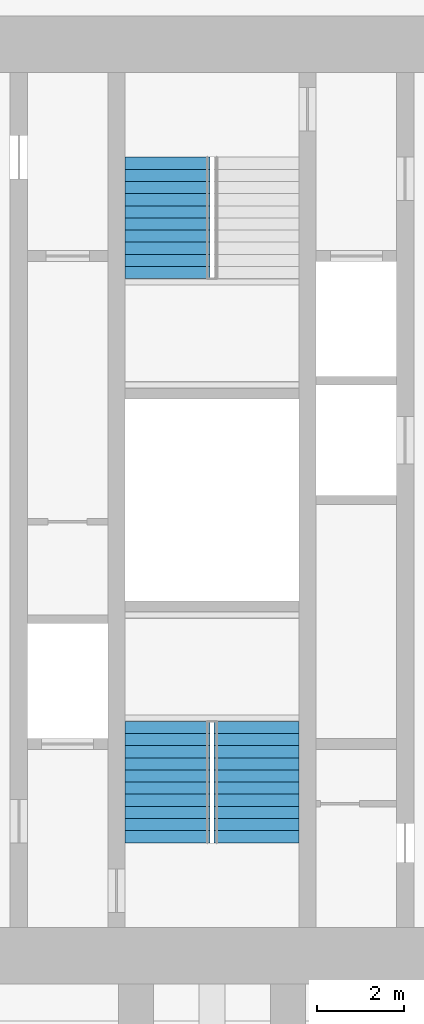
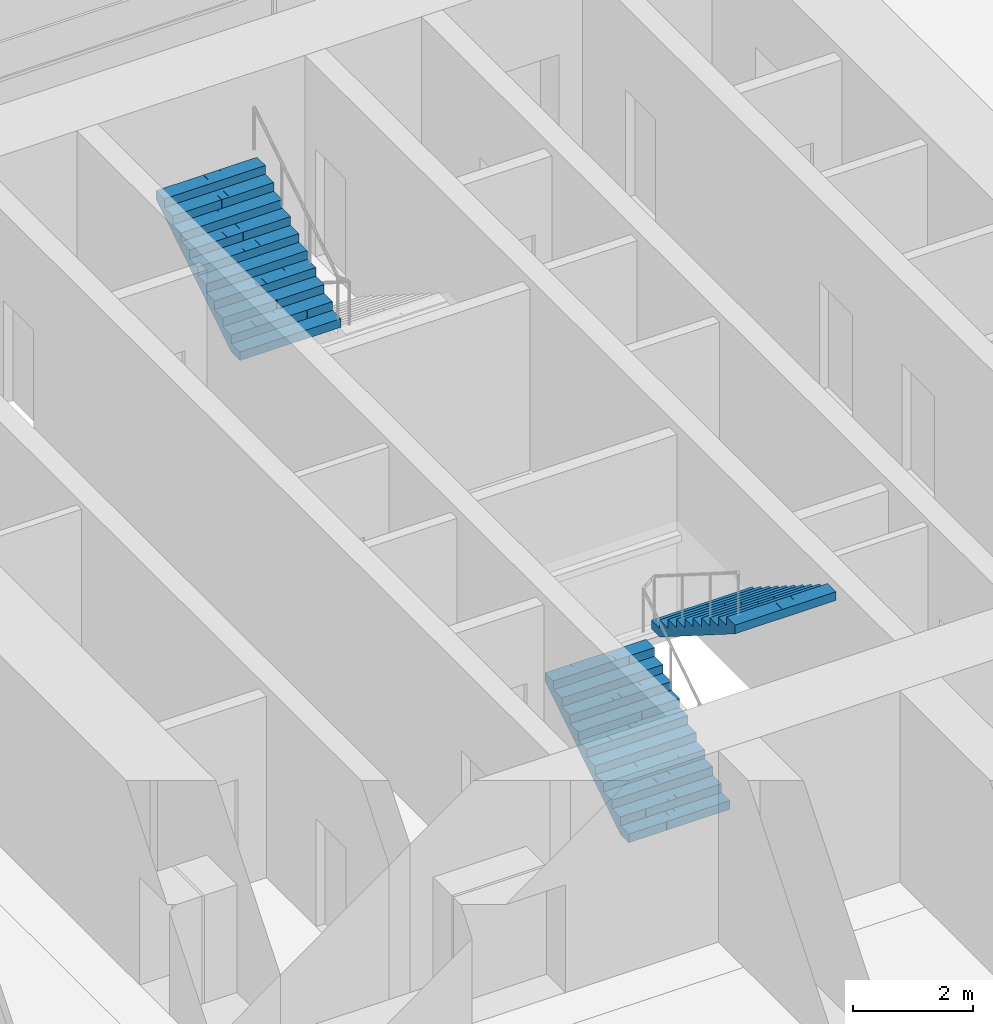
# One storey, part 14 of 16: 3 stair flights, 2 elements without a shape of their own.
"""IFC4 building model written with IfcOpenShell, lengths in metres."""

from ifc_helpers import new_model, si_unit, direction, frame, origin, place, context, subcontext, project, spatial, polyline, outline, extrude, material, type_object, element, aggregate, save


model = new_model("IFC4")

# Units and contexts
model_context = context("Model", 3, precision=1e-05, world=origin(), true_north=direction((0.0, 1.0)))
body_context = subcontext(model_context, "Body", "Model", "MODEL_VIEW")
ifc_project = project(units=[si_unit("LENGTHUNIT", "METRE"), si_unit("AREAUNIT", "SQUARE_METRE"), si_unit("VOLUMEUNIT", "CUBIC_METRE"), si_unit("PLANEANGLEUNIT", "RADIAN"), si_unit("MASSUNIT", "GRAM", prefix="KILO")], contexts=[model_context])

# Site, building, storey
site_placement = place(None, origin())
site = spatial("IfcSite", under=ifc_project, at=site_placement, CompositionType="ELEMENT")
building_placement = place(site_placement, origin())
building = spatial("IfcBuilding", under=site, at=building_placement, Name="Mizan Broadcast Tower", CompositionType="ELEMENT")
storey_placement = place(building_placement, frame((0.0, 0.0, 290.699951171875)))
storey = spatial("IfcBuildingStorey", under=building, at=storey_placement, Name="L69", CompositionType="ELEMENT", Elevation=290.699951171875)

# Stair, stair flights
ifc_material_1 = material(Name="Concrete C40/50", Category="concrete")
stair_type = type_object("IfcStairType", Name="EXIT STAIR", PredefinedType="HALF_TURN_STAIR", material=ifc_material_1)
stair_1_placement = place(storey_placement, origin())
stair_1 = element("IfcStair", 1, at=stair_1_placement, inside=storey, type_object=stair_type, Name="Stair A L69", PredefinedType="HALF_TURN_STAIR")
ifc_material_2 = material(Name="Concrete C40/50", Category="concrete")
stair_flight_type = type_object("IfcStairFlightType", Name="EXIT STAIR FLIGHT", PredefinedType="STRAIGHT", material=ifc_material_2)
stair_flight_1_placement = place(storey_placement, frame((-1.02490234375, -7.89990234375, 0.0), z_axis=(0.0, 0.0, 1.0), x_axis=(0.0, 1.0, 0.0)))
stair_flight_1 = element("IfcStairFlight", 2, at=stair_flight_1_placement, type_object=stair_flight_type, Name="A flight 1", NumberOfRisers=11, NumberOfTreads=10, PredefinedType="STRAIGHT", RiserHeight=0.177272727, TreadLength=0.28, context=body_context, shape_type="SweptSolid", body=[
    extrude(outline(polyline([(0.0, 0.0), (0.0, 0.17724609375), (0.280029296875, 0.17724609375), (0.280029296875, 0.3544921875), (0.56005859375, 0.3544921875), (0.56005859375, 0.53173828125), (0.840087890625, 0.53173828125), (0.840087890625, 0.708984375), (1.1201171875, 0.708984375), (1.1201171875, 0.886474609375), (1.39990234375, 0.886474609375), (1.39990234375, 1.063720703125), (1.679931640625, 1.063720703125), (1.679931640625, 1.240966796875), (1.9599609375, 1.240966796875), (1.9599609375, 1.418212890625), (2.239990234375, 1.418212890625), (2.239990234375, 1.595458984375), (2.52001953125, 1.595458984375), (2.52001953125, 1.772705078125), (2.800048828125, 1.772705078125), (2.800048828125, 1.949951171875), (2.800048828125, 1.59521484375), (0.2802734375, 0.0), (0.0, 0.0)])), frame((0.0, 0.97509765625, 0.0), z_axis=(0.0, -1.0, 0.0), x_axis=(1.0, 0.0, 0.0)), (0.0, 0.0, 1.0), 0.4873046875),
    extrude(outline(polyline([(0.0, 0.0), (0.0, 0.17724609375), (0.280029296875, 0.17724609375), (0.280029296875, 0.3544921875), (0.56005859375, 0.3544921875), (0.56005859375, 0.53173828125), (0.840087890625, 0.53173828125), (0.840087890625, 0.708984375), (1.1201171875, 0.708984375), (1.1201171875, 0.886474609375), (1.39990234375, 0.886474609375), (1.39990234375, 1.063720703125), (1.679931640625, 1.063720703125), (1.679931640625, 1.240966796875), (1.9599609375, 1.240966796875), (1.9599609375, 1.418212890625), (2.239990234375, 1.418212890625), (2.239990234375, 1.595458984375), (2.52001953125, 1.595458984375), (2.52001953125, 1.772705078125), (2.800048828125, 1.772705078125), (2.800048828125, 1.949951171875), (2.800048828125, 1.59521484375), (0.2802734375, 0.0), (0.0, 0.0)])), frame((0.0, 0.4873046875, 0.0), z_axis=(0.0, -1.0, 0.0), x_axis=(1.0, 0.0, 0.0)), (0.0, 0.0, 1.0), 0.2431640625),
    extrude(outline(polyline([(0.0, 0.0), (0.0, 0.17724609375), (0.280029296875, 0.17724609375), (0.280029296875, 0.3544921875), (0.56005859375, 0.3544921875), (0.56005859375, 0.53173828125), (0.840087890625, 0.53173828125), (0.840087890625, 0.708984375), (1.1201171875, 0.708984375), (1.1201171875, 0.886474609375), (1.39990234375, 0.886474609375), (1.39990234375, 1.063720703125), (1.679931640625, 1.063720703125), (1.679931640625, 1.240966796875), (1.9599609375, 1.240966796875), (1.9599609375, 1.418212890625), (2.239990234375, 1.418212890625), (2.239990234375, 1.595458984375), (2.52001953125, 1.595458984375), (2.52001953125, 1.772705078125), (2.800048828125, 1.772705078125), (2.800048828125, 1.949951171875), (2.800048828125, 1.59521484375), (0.2802734375, 0.0), (0.0, 0.0)])), frame((0.0, 0.24365234375, 0.0), z_axis=(0.0, -1.0, 0.0), x_axis=(1.0, 0.0, 0.0)), (0.0, 0.0, 1.0), 0.121337890625),
    extrude(outline(polyline([(0.0, 0.0), (0.0, 0.17724609375), (0.280029296875, 0.17724609375), (0.280029296875, 0.3544921875), (0.56005859375, 0.3544921875), (0.56005859375, 0.53173828125), (0.840087890625, 0.53173828125), (0.840087890625, 0.708984375), (1.1201171875, 0.708984375), (1.1201171875, 0.886474609375), (1.39990234375, 0.886474609375), (1.39990234375, 1.063720703125), (1.679931640625, 1.063720703125), (1.679931640625, 1.240966796875), (1.9599609375, 1.240966796875), (1.9599609375, 1.418212890625), (2.239990234375, 1.418212890625), (2.239990234375, 1.595458984375), (2.52001953125, 1.595458984375), (2.52001953125, 1.772705078125), (2.800048828125, 1.772705078125), (2.800048828125, 1.949951171875), (2.800048828125, 1.59521484375), (0.2802734375, 0.0), (0.0, 0.0)])), frame((0.0, 0.121826171875, 0.0), z_axis=(0.0, -1.0, 0.0), x_axis=(1.0, 0.0, 0.0)), (0.0, 0.0, 1.0), 0.060546875),
    extrude(outline(polyline([(0.0, 0.0), (0.0, 0.17724609375), (0.280029296875, 0.17724609375), (0.280029296875, 0.3544921875), (0.56005859375, 0.3544921875), (0.56005859375, 0.53173828125), (0.840087890625, 0.53173828125), (0.840087890625, 0.708984375), (1.1201171875, 0.708984375), (1.1201171875, 0.886474609375), (1.39990234375, 0.886474609375), (1.39990234375, 1.063720703125), (1.679931640625, 1.063720703125), (1.679931640625, 1.240966796875), (1.9599609375, 1.240966796875), (1.9599609375, 1.418212890625), (2.239990234375, 1.418212890625), (2.239990234375, 1.595458984375), (2.52001953125, 1.595458984375), (2.52001953125, 1.772705078125), (2.800048828125, 1.772705078125), (2.800048828125, 1.949951171875), (2.800048828125, 1.59521484375), (0.2802734375, 0.0), (0.0, 0.0)])), frame((0.0, 0.060791015625, 0.0), z_axis=(0.0, -1.0, 0.0), x_axis=(1.0, 0.0, 0.0)), (0.0, 0.0, 1.0), 0.030029296875),
    extrude(outline(polyline([(0.0, 0.0), (0.0, 0.17724609375), (0.280029296875, 0.17724609375), (0.280029296875, 0.3544921875), (0.56005859375, 0.3544921875), (0.56005859375, 0.53173828125), (0.840087890625, 0.53173828125), (0.840087890625, 0.708984375), (1.1201171875, 0.708984375), (1.1201171875, 0.886474609375), (1.39990234375, 0.886474609375), (1.39990234375, 1.063720703125), (1.679931640625, 1.063720703125), (1.679931640625, 1.240966796875), (1.9599609375, 1.240966796875), (1.9599609375, 1.418212890625), (2.239990234375, 1.418212890625), (2.239990234375, 1.595458984375), (2.52001953125, 1.595458984375), (2.52001953125, 1.772705078125), (2.800048828125, 1.772705078125), (2.800048828125, 1.949951171875), (2.800048828125, 1.59521484375), (0.2802734375, 0.0), (0.0, 0.0)])), frame((0.0, 0.0302734375, 0.0), z_axis=(0.0, -1.0, 0.0), x_axis=(1.0, 0.0, 0.0)), (0.0, 0.0, 1.0), 0.060302734375),
    extrude(outline(polyline([(0.0, 0.0), (0.0, 0.17724609375), (0.280029296875, 0.17724609375), (0.280029296875, 0.3544921875), (0.56005859375, 0.3544921875), (0.56005859375, 0.53173828125), (0.840087890625, 0.53173828125), (0.840087890625, 0.708984375), (1.1201171875, 0.708984375), (1.1201171875, 0.886474609375), (1.39990234375, 0.886474609375), (1.39990234375, 1.063720703125), (1.679931640625, 1.063720703125), (1.679931640625, 1.240966796875), (1.9599609375, 1.240966796875), (1.9599609375, 1.418212890625), (2.239990234375, 1.418212890625), (2.239990234375, 1.595458984375), (2.52001953125, 1.595458984375), (2.52001953125, 1.772705078125), (2.800048828125, 1.772705078125), (2.800048828125, 1.949951171875), (2.800048828125, 1.59521484375), (0.2802734375, 0.0), (0.0, 0.0)])), frame((0.0, -0.030517578125, 0.0), z_axis=(0.0, -1.0, 0.0), x_axis=(1.0, 0.0, 0.0)), (0.0, 0.0, 1.0), 0.030029296875),
    extrude(outline(polyline([(0.0, 0.0), (0.0, 0.17724609375), (0.280029296875, 0.17724609375), (0.280029296875, 0.3544921875), (0.56005859375, 0.3544921875), (0.56005859375, 0.53173828125), (0.840087890625, 0.53173828125), (0.840087890625, 0.708984375), (1.1201171875, 0.708984375), (1.1201171875, 0.886474609375), (1.39990234375, 0.886474609375), (1.39990234375, 1.063720703125), (1.679931640625, 1.063720703125), (1.679931640625, 1.240966796875), (1.9599609375, 1.240966796875), (1.9599609375, 1.418212890625), (2.239990234375, 1.418212890625), (2.239990234375, 1.595458984375), (2.52001953125, 1.595458984375), (2.52001953125, 1.772705078125), (2.800048828125, 1.772705078125), (2.800048828125, 1.949951171875), (2.800048828125, 1.59521484375), (0.2802734375, 0.0), (0.0, 0.0)])), frame((0.0, -0.06103515625, 0.0), z_axis=(0.0, -1.0, 0.0), x_axis=(1.0, 0.0, 0.0)), (0.0, 0.0, 1.0), 0.060546875),
    extrude(outline(polyline([(0.0, 0.0), (0.0, 0.17724609375), (0.280029296875, 0.17724609375), (0.280029296875, 0.3544921875), (0.56005859375, 0.3544921875), (0.56005859375, 0.53173828125), (0.840087890625, 0.53173828125), (0.840087890625, 0.708984375), (1.1201171875, 0.708984375), (1.1201171875, 0.886474609375), (1.39990234375, 0.886474609375), (1.39990234375, 1.063720703125), (1.679931640625, 1.063720703125), (1.679931640625, 1.240966796875), (1.9599609375, 1.240966796875), (1.9599609375, 1.418212890625), (2.239990234375, 1.418212890625), (2.239990234375, 1.595458984375), (2.52001953125, 1.595458984375), (2.52001953125, 1.772705078125), (2.800048828125, 1.772705078125), (2.800048828125, 1.949951171875), (2.800048828125, 1.59521484375), (0.2802734375, 0.0), (0.0, 0.0)])), frame((0.0, -0.1220703125, 0.0), z_axis=(0.0, -1.0, 0.0), x_axis=(1.0, 0.0, 0.0)), (0.0, 0.0, 1.0), 0.121337890625),
    extrude(outline(polyline([(0.0, 0.0), (0.0, 0.17724609375), (0.280029296875, 0.17724609375), (0.280029296875, 0.3544921875), (0.56005859375, 0.3544921875), (0.56005859375, 0.53173828125), (0.840087890625, 0.53173828125), (0.840087890625, 0.708984375), (1.1201171875, 0.708984375), (1.1201171875, 0.886474609375), (1.39990234375, 0.886474609375), (1.39990234375, 1.063720703125), (1.679931640625, 1.063720703125), (1.679931640625, 1.240966796875), (1.9599609375, 1.240966796875), (1.9599609375, 1.418212890625), (2.239990234375, 1.418212890625), (2.239990234375, 1.595458984375), (2.52001953125, 1.595458984375), (2.52001953125, 1.772705078125), (2.800048828125, 1.772705078125), (2.800048828125, 1.949951171875), (2.800048828125, 1.59521484375), (0.2802734375, 0.0), (0.0, 0.0)])), frame((0.0, -0.243896484375, 0.0), z_axis=(0.0, -1.0, 0.0), x_axis=(1.0, 0.0, 0.0)), (0.0, 0.0, 1.0), 0.2431640625),
    extrude(outline(polyline([(0.0, 0.0), (0.0, 0.17724609375), (0.280029296875, 0.17724609375), (0.280029296875, 0.3544921875), (0.56005859375, 0.3544921875), (0.56005859375, 0.53173828125), (0.840087890625, 0.53173828125), (0.840087890625, 0.708984375), (1.1201171875, 0.708984375), (1.1201171875, 0.886474609375), (1.39990234375, 0.886474609375), (1.39990234375, 1.063720703125), (1.679931640625, 1.063720703125), (1.679931640625, 1.240966796875), (1.9599609375, 1.240966796875), (1.9599609375, 1.418212890625), (2.239990234375, 1.418212890625), (2.239990234375, 1.595458984375), (2.52001953125, 1.595458984375), (2.52001953125, 1.772705078125), (2.800048828125, 1.772705078125), (2.800048828125, 1.949951171875), (2.800048828125, 1.59521484375), (0.2802734375, 0.0), (0.0, 0.0)])), frame((0.0, -0.487548828125, 0.0), z_axis=(0.0, -1.0, 0.0), x_axis=(1.0, 0.0, 0.0)), (0.0, 0.0, 1.0), 0.4873046875),
])
stair_flight_2_placement = place(storey_placement, frame((1.02490234375, -5.10009765625, 1.949951171875), z_axis=(0.0, 0.0, 1.0), x_axis=(0.0, -1.0, 0.0)))
stair_flight_2 = element("IfcStairFlight", 3, at=stair_flight_2_placement, type_object=stair_flight_type, Name="A flight 2", NumberOfRisers=11, NumberOfTreads=10, PredefinedType="STRAIGHT", RiserHeight=0.177272727, TreadLength=0.28, context=body_context, shape_type="SweptSolid", body=[
    extrude(outline(polyline([(0.0, 0.0), (0.0, 0.17724609375), (0.280029296875, 0.17724609375), (0.280029296875, 0.3544921875), (0.56005859375, 0.3544921875), (0.56005859375, 0.53173828125), (0.840087890625, 0.53173828125), (0.840087890625, 0.708984375), (1.1201171875, 0.708984375), (1.1201171875, 0.886474609375), (1.39990234375, 0.886474609375), (1.39990234375, 1.063720703125), (1.679931640625, 1.063720703125), (1.679931640625, 1.240966796875), (1.9599609375, 1.240966796875), (1.9599609375, 1.418212890625), (2.239990234375, 1.418212890625), (2.239990234375, 1.595458984375), (2.52001953125, 1.595458984375), (2.52001953125, 1.772705078125), (2.800048828125, 1.772705078125), (2.800048828125, 1.949951171875), (2.800048828125, 1.59521484375), (0.2802734375, 0.0), (0.0, 0.0)])), frame((0.0, 0.97509765625, 0.0), z_axis=(0.0, -1.0, 0.0), x_axis=(1.0, 0.0, 0.0)), (0.0, 0.0, 1.0), 0.4873046875),
    extrude(outline(polyline([(0.0, 0.0), (0.0, 0.17724609375), (0.280029296875, 0.17724609375), (0.280029296875, 0.3544921875), (0.56005859375, 0.3544921875), (0.56005859375, 0.53173828125), (0.840087890625, 0.53173828125), (0.840087890625, 0.708984375), (1.1201171875, 0.708984375), (1.1201171875, 0.886474609375), (1.39990234375, 0.886474609375), (1.39990234375, 1.063720703125), (1.679931640625, 1.063720703125), (1.679931640625, 1.240966796875), (1.9599609375, 1.240966796875), (1.9599609375, 1.418212890625), (2.239990234375, 1.418212890625), (2.239990234375, 1.595458984375), (2.52001953125, 1.595458984375), (2.52001953125, 1.772705078125), (2.800048828125, 1.772705078125), (2.800048828125, 1.949951171875), (2.800048828125, 1.59521484375), (0.2802734375, 0.0), (0.0, 0.0)])), frame((0.0, 0.4873046875, 0.0), z_axis=(0.0, -1.0, 0.0), x_axis=(1.0, 0.0, 0.0)), (0.0, 0.0, 1.0), 0.2431640625),
    extrude(outline(polyline([(0.0, 0.0), (0.0, 0.17724609375), (0.280029296875, 0.17724609375), (0.280029296875, 0.3544921875), (0.56005859375, 0.3544921875), (0.56005859375, 0.53173828125), (0.840087890625, 0.53173828125), (0.840087890625, 0.708984375), (1.1201171875, 0.708984375), (1.1201171875, 0.886474609375), (1.39990234375, 0.886474609375), (1.39990234375, 1.063720703125), (1.679931640625, 1.063720703125), (1.679931640625, 1.240966796875), (1.9599609375, 1.240966796875), (1.9599609375, 1.418212890625), (2.239990234375, 1.418212890625), (2.239990234375, 1.595458984375), (2.52001953125, 1.595458984375), (2.52001953125, 1.772705078125), (2.800048828125, 1.772705078125), (2.800048828125, 1.949951171875), (2.800048828125, 1.59521484375), (0.2802734375, 0.0), (0.0, 0.0)])), frame((0.0, 0.24365234375, 0.0), z_axis=(0.0, -1.0, 0.0), x_axis=(1.0, 0.0, 0.0)), (0.0, 0.0, 1.0), 0.121337890625),
    extrude(outline(polyline([(0.0, 0.0), (0.0, 0.17724609375), (0.280029296875, 0.17724609375), (0.280029296875, 0.3544921875), (0.56005859375, 0.3544921875), (0.56005859375, 0.53173828125), (0.840087890625, 0.53173828125), (0.840087890625, 0.708984375), (1.1201171875, 0.708984375), (1.1201171875, 0.886474609375), (1.39990234375, 0.886474609375), (1.39990234375, 1.063720703125), (1.679931640625, 1.063720703125), (1.679931640625, 1.240966796875), (1.9599609375, 1.240966796875), (1.9599609375, 1.418212890625), (2.239990234375, 1.418212890625), (2.239990234375, 1.595458984375), (2.52001953125, 1.595458984375), (2.52001953125, 1.772705078125), (2.800048828125, 1.772705078125), (2.800048828125, 1.949951171875), (2.800048828125, 1.59521484375), (0.2802734375, 0.0), (0.0, 0.0)])), frame((0.0, 0.121826171875, 0.0), z_axis=(0.0, -1.0, 0.0), x_axis=(1.0, 0.0, 0.0)), (0.0, 0.0, 1.0), 0.060546875),
    extrude(outline(polyline([(0.0, 0.0), (0.0, 0.17724609375), (0.280029296875, 0.17724609375), (0.280029296875, 0.3544921875), (0.56005859375, 0.3544921875), (0.56005859375, 0.53173828125), (0.840087890625, 0.53173828125), (0.840087890625, 0.708984375), (1.1201171875, 0.708984375), (1.1201171875, 0.886474609375), (1.39990234375, 0.886474609375), (1.39990234375, 1.063720703125), (1.679931640625, 1.063720703125), (1.679931640625, 1.240966796875), (1.9599609375, 1.240966796875), (1.9599609375, 1.418212890625), (2.239990234375, 1.418212890625), (2.239990234375, 1.595458984375), (2.52001953125, 1.595458984375), (2.52001953125, 1.772705078125), (2.800048828125, 1.772705078125), (2.800048828125, 1.949951171875), (2.800048828125, 1.59521484375), (0.2802734375, 0.0), (0.0, 0.0)])), frame((0.0, 0.060791015625, 0.0), z_axis=(0.0, -1.0, 0.0), x_axis=(1.0, 0.0, 0.0)), (0.0, 0.0, 1.0), 0.030029296875),
    extrude(outline(polyline([(0.0, 0.0), (0.0, 0.17724609375), (0.280029296875, 0.17724609375), (0.280029296875, 0.3544921875), (0.56005859375, 0.3544921875), (0.56005859375, 0.53173828125), (0.840087890625, 0.53173828125), (0.840087890625, 0.708984375), (1.1201171875, 0.708984375), (1.1201171875, 0.886474609375), (1.39990234375, 0.886474609375), (1.39990234375, 1.063720703125), (1.679931640625, 1.063720703125), (1.679931640625, 1.240966796875), (1.9599609375, 1.240966796875), (1.9599609375, 1.418212890625), (2.239990234375, 1.418212890625), (2.239990234375, 1.595458984375), (2.52001953125, 1.595458984375), (2.52001953125, 1.772705078125), (2.800048828125, 1.772705078125), (2.800048828125, 1.949951171875), (2.800048828125, 1.59521484375), (0.2802734375, 0.0), (0.0, 0.0)])), frame((0.0, 0.0302734375, 0.0), z_axis=(0.0, -1.0, 0.0), x_axis=(1.0, 0.0, 0.0)), (0.0, 0.0, 1.0), 0.060302734375),
    extrude(outline(polyline([(0.0, 0.0), (0.0, 0.17724609375), (0.280029296875, 0.17724609375), (0.280029296875, 0.3544921875), (0.56005859375, 0.3544921875), (0.56005859375, 0.53173828125), (0.840087890625, 0.53173828125), (0.840087890625, 0.708984375), (1.1201171875, 0.708984375), (1.1201171875, 0.886474609375), (1.39990234375, 0.886474609375), (1.39990234375, 1.063720703125), (1.679931640625, 1.063720703125), (1.679931640625, 1.240966796875), (1.9599609375, 1.240966796875), (1.9599609375, 1.418212890625), (2.239990234375, 1.418212890625), (2.239990234375, 1.595458984375), (2.52001953125, 1.595458984375), (2.52001953125, 1.772705078125), (2.800048828125, 1.772705078125), (2.800048828125, 1.949951171875), (2.800048828125, 1.59521484375), (0.2802734375, 0.0), (0.0, 0.0)])), frame((0.0, -0.030517578125, 0.0), z_axis=(0.0, -1.0, 0.0), x_axis=(1.0, 0.0, 0.0)), (0.0, 0.0, 1.0), 0.030029296875),
    extrude(outline(polyline([(0.0, 0.0), (0.0, 0.17724609375), (0.280029296875, 0.17724609375), (0.280029296875, 0.3544921875), (0.56005859375, 0.3544921875), (0.56005859375, 0.53173828125), (0.840087890625, 0.53173828125), (0.840087890625, 0.708984375), (1.1201171875, 0.708984375), (1.1201171875, 0.886474609375), (1.39990234375, 0.886474609375), (1.39990234375, 1.063720703125), (1.679931640625, 1.063720703125), (1.679931640625, 1.240966796875), (1.9599609375, 1.240966796875), (1.9599609375, 1.418212890625), (2.239990234375, 1.418212890625), (2.239990234375, 1.595458984375), (2.52001953125, 1.595458984375), (2.52001953125, 1.772705078125), (2.800048828125, 1.772705078125), (2.800048828125, 1.949951171875), (2.800048828125, 1.59521484375), (0.2802734375, 0.0), (0.0, 0.0)])), frame((0.0, -0.06103515625, 0.0), z_axis=(0.0, -1.0, 0.0), x_axis=(1.0, 0.0, 0.0)), (0.0, 0.0, 1.0), 0.060546875),
    extrude(outline(polyline([(0.0, 0.0), (0.0, 0.17724609375), (0.280029296875, 0.17724609375), (0.280029296875, 0.3544921875), (0.56005859375, 0.3544921875), (0.56005859375, 0.53173828125), (0.840087890625, 0.53173828125), (0.840087890625, 0.708984375), (1.1201171875, 0.708984375), (1.1201171875, 0.886474609375), (1.39990234375, 0.886474609375), (1.39990234375, 1.063720703125), (1.679931640625, 1.063720703125), (1.679931640625, 1.240966796875), (1.9599609375, 1.240966796875), (1.9599609375, 1.418212890625), (2.239990234375, 1.418212890625), (2.239990234375, 1.595458984375), (2.52001953125, 1.595458984375), (2.52001953125, 1.772705078125), (2.800048828125, 1.772705078125), (2.800048828125, 1.949951171875), (2.800048828125, 1.59521484375), (0.2802734375, 0.0), (0.0, 0.0)])), frame((0.0, -0.1220703125, 0.0), z_axis=(0.0, -1.0, 0.0), x_axis=(1.0, 0.0, 0.0)), (0.0, 0.0, 1.0), 0.121337890625),
    extrude(outline(polyline([(0.0, 0.0), (0.0, 0.17724609375), (0.280029296875, 0.17724609375), (0.280029296875, 0.3544921875), (0.56005859375, 0.3544921875), (0.56005859375, 0.53173828125), (0.840087890625, 0.53173828125), (0.840087890625, 0.708984375), (1.1201171875, 0.708984375), (1.1201171875, 0.886474609375), (1.39990234375, 0.886474609375), (1.39990234375, 1.063720703125), (1.679931640625, 1.063720703125), (1.679931640625, 1.240966796875), (1.9599609375, 1.240966796875), (1.9599609375, 1.418212890625), (2.239990234375, 1.418212890625), (2.239990234375, 1.595458984375), (2.52001953125, 1.595458984375), (2.52001953125, 1.772705078125), (2.800048828125, 1.772705078125), (2.800048828125, 1.949951171875), (2.800048828125, 1.59521484375), (0.2802734375, 0.0), (0.0, 0.0)])), frame((0.0, -0.243896484375, 0.0), z_axis=(0.0, -1.0, 0.0), x_axis=(1.0, 0.0, 0.0)), (0.0, 0.0, 1.0), 0.2431640625),
    extrude(outline(polyline([(0.0, 0.0), (0.0, 0.17724609375), (0.280029296875, 0.17724609375), (0.280029296875, 0.3544921875), (0.56005859375, 0.3544921875), (0.56005859375, 0.53173828125), (0.840087890625, 0.53173828125), (0.840087890625, 0.708984375), (1.1201171875, 0.708984375), (1.1201171875, 0.886474609375), (1.39990234375, 0.886474609375), (1.39990234375, 1.063720703125), (1.679931640625, 1.063720703125), (1.679931640625, 1.240966796875), (1.9599609375, 1.240966796875), (1.9599609375, 1.418212890625), (2.239990234375, 1.418212890625), (2.239990234375, 1.595458984375), (2.52001953125, 1.595458984375), (2.52001953125, 1.772705078125), (2.800048828125, 1.772705078125), (2.800048828125, 1.949951171875), (2.800048828125, 1.59521484375), (0.2802734375, 0.0), (0.0, 0.0)])), frame((0.0, -0.487548828125, 0.0), z_axis=(0.0, -1.0, 0.0), x_axis=(1.0, 0.0, 0.0)), (0.0, 0.0, 1.0), 0.4873046875),
])
aggregate(stair_1, [stair_flight_1, stair_flight_2])

# Stair, stair flight
stair_2_placement = place(storey_placement, origin())
stair_2 = element("IfcStair", 4, at=stair_2_placement, inside=storey, type_object=stair_type, Name="Stair B L69", PredefinedType="HALF_TURN_STAIR")
stair_flight_3_placement = place(storey_placement, frame((-1.02490234375, 5.10009765625, 1.949951171875), z_axis=(0.0, 0.0, 1.0), x_axis=(0.0, 1.0, 0.0)))
stair_flight_3 = element("IfcStairFlight", 5, at=stair_flight_3_placement, type_object=stair_flight_type, Name="B flight 2", NumberOfRisers=11, NumberOfTreads=10, PredefinedType="STRAIGHT", RiserHeight=0.177272727, TreadLength=0.28, context=body_context, shape_type="SweptSolid", body=[
    extrude(outline(polyline([(0.0, 0.0), (0.0, 0.17724609375), (0.280029296875, 0.17724609375), (0.280029296875, 0.3544921875), (0.56005859375, 0.3544921875), (0.56005859375, 0.53173828125), (0.840087890625, 0.53173828125), (0.840087890625, 0.708984375), (1.1201171875, 0.708984375), (1.1201171875, 0.886474609375), (1.39990234375, 0.886474609375), (1.39990234375, 1.063720703125), (1.679931640625, 1.063720703125), (1.679931640625, 1.240966796875), (1.9599609375, 1.240966796875), (1.9599609375, 1.418212890625), (2.239990234375, 1.418212890625), (2.239990234375, 1.595458984375), (2.52001953125, 1.595458984375), (2.52001953125, 1.772705078125), (2.800048828125, 1.772705078125), (2.800048828125, 1.949951171875), (2.800048828125, 1.59521484375), (0.2802734375, 0.0), (0.0, 0.0)])), frame((0.0, 0.97509765625, 0.0), z_axis=(0.0, -1.0, 0.0), x_axis=(1.0, 0.0, 0.0)), (0.0, 0.0, 1.0), 0.4873046875),
    extrude(outline(polyline([(0.0, 0.0), (0.0, 0.17724609375), (0.280029296875, 0.17724609375), (0.280029296875, 0.3544921875), (0.56005859375, 0.3544921875), (0.56005859375, 0.53173828125), (0.840087890625, 0.53173828125), (0.840087890625, 0.708984375), (1.1201171875, 0.708984375), (1.1201171875, 0.886474609375), (1.39990234375, 0.886474609375), (1.39990234375, 1.063720703125), (1.679931640625, 1.063720703125), (1.679931640625, 1.240966796875), (1.9599609375, 1.240966796875), (1.9599609375, 1.418212890625), (2.239990234375, 1.418212890625), (2.239990234375, 1.595458984375), (2.52001953125, 1.595458984375), (2.52001953125, 1.772705078125), (2.800048828125, 1.772705078125), (2.800048828125, 1.949951171875), (2.800048828125, 1.59521484375), (0.2802734375, 0.0), (0.0, 0.0)])), frame((0.0, 0.4873046875, 0.0), z_axis=(0.0, -1.0, 0.0), x_axis=(1.0, 0.0, 0.0)), (0.0, 0.0, 1.0), 0.2431640625),
    extrude(outline(polyline([(0.0, 0.0), (0.0, 0.17724609375), (0.280029296875, 0.17724609375), (0.280029296875, 0.3544921875), (0.56005859375, 0.3544921875), (0.56005859375, 0.53173828125), (0.840087890625, 0.53173828125), (0.840087890625, 0.708984375), (1.1201171875, 0.708984375), (1.1201171875, 0.886474609375), (1.39990234375, 0.886474609375), (1.39990234375, 1.063720703125), (1.679931640625, 1.063720703125), (1.679931640625, 1.240966796875), (1.9599609375, 1.240966796875), (1.9599609375, 1.418212890625), (2.239990234375, 1.418212890625), (2.239990234375, 1.595458984375), (2.52001953125, 1.595458984375), (2.52001953125, 1.772705078125), (2.800048828125, 1.772705078125), (2.800048828125, 1.949951171875), (2.800048828125, 1.59521484375), (0.2802734375, 0.0), (0.0, 0.0)])), frame((0.0, 0.24365234375, 0.0), z_axis=(0.0, -1.0, 0.0), x_axis=(1.0, 0.0, 0.0)), (0.0, 0.0, 1.0), 0.121337890625),
    extrude(outline(polyline([(0.0, 0.0), (0.0, 0.17724609375), (0.280029296875, 0.17724609375), (0.280029296875, 0.3544921875), (0.56005859375, 0.3544921875), (0.56005859375, 0.53173828125), (0.840087890625, 0.53173828125), (0.840087890625, 0.708984375), (1.1201171875, 0.708984375), (1.1201171875, 0.886474609375), (1.39990234375, 0.886474609375), (1.39990234375, 1.063720703125), (1.679931640625, 1.063720703125), (1.679931640625, 1.240966796875), (1.9599609375, 1.240966796875), (1.9599609375, 1.418212890625), (2.239990234375, 1.418212890625), (2.239990234375, 1.595458984375), (2.52001953125, 1.595458984375), (2.52001953125, 1.772705078125), (2.800048828125, 1.772705078125), (2.800048828125, 1.949951171875), (2.800048828125, 1.59521484375), (0.2802734375, 0.0), (0.0, 0.0)])), frame((0.0, 0.121826171875, 0.0), z_axis=(0.0, -1.0, 0.0), x_axis=(1.0, 0.0, 0.0)), (0.0, 0.0, 1.0), 0.060546875),
    extrude(outline(polyline([(0.0, 0.0), (0.0, 0.17724609375), (0.280029296875, 0.17724609375), (0.280029296875, 0.3544921875), (0.56005859375, 0.3544921875), (0.56005859375, 0.53173828125), (0.840087890625, 0.53173828125), (0.840087890625, 0.708984375), (1.1201171875, 0.708984375), (1.1201171875, 0.886474609375), (1.39990234375, 0.886474609375), (1.39990234375, 1.063720703125), (1.679931640625, 1.063720703125), (1.679931640625, 1.240966796875), (1.9599609375, 1.240966796875), (1.9599609375, 1.418212890625), (2.239990234375, 1.418212890625), (2.239990234375, 1.595458984375), (2.52001953125, 1.595458984375), (2.52001953125, 1.772705078125), (2.800048828125, 1.772705078125), (2.800048828125, 1.949951171875), (2.800048828125, 1.59521484375), (0.2802734375, 0.0), (0.0, 0.0)])), frame((0.0, 0.060791015625, 0.0), z_axis=(0.0, -1.0, 0.0), x_axis=(1.0, 0.0, 0.0)), (0.0, 0.0, 1.0), 0.030029296875),
    extrude(outline(polyline([(0.0, 0.0), (0.0, 0.17724609375), (0.280029296875, 0.17724609375), (0.280029296875, 0.3544921875), (0.56005859375, 0.3544921875), (0.56005859375, 0.53173828125), (0.840087890625, 0.53173828125), (0.840087890625, 0.708984375), (1.1201171875, 0.708984375), (1.1201171875, 0.886474609375), (1.39990234375, 0.886474609375), (1.39990234375, 1.063720703125), (1.679931640625, 1.063720703125), (1.679931640625, 1.240966796875), (1.9599609375, 1.240966796875), (1.9599609375, 1.418212890625), (2.239990234375, 1.418212890625), (2.239990234375, 1.595458984375), (2.52001953125, 1.595458984375), (2.52001953125, 1.772705078125), (2.800048828125, 1.772705078125), (2.800048828125, 1.949951171875), (2.800048828125, 1.59521484375), (0.2802734375, 0.0), (0.0, 0.0)])), frame((0.0, 0.0302734375, 0.0), z_axis=(0.0, -1.0, 0.0), x_axis=(1.0, 0.0, 0.0)), (0.0, 0.0, 1.0), 0.060302734375),
    extrude(outline(polyline([(0.0, 0.0), (0.0, 0.17724609375), (0.280029296875, 0.17724609375), (0.280029296875, 0.3544921875), (0.56005859375, 0.3544921875), (0.56005859375, 0.53173828125), (0.840087890625, 0.53173828125), (0.840087890625, 0.708984375), (1.1201171875, 0.708984375), (1.1201171875, 0.886474609375), (1.39990234375, 0.886474609375), (1.39990234375, 1.063720703125), (1.679931640625, 1.063720703125), (1.679931640625, 1.240966796875), (1.9599609375, 1.240966796875), (1.9599609375, 1.418212890625), (2.239990234375, 1.418212890625), (2.239990234375, 1.595458984375), (2.52001953125, 1.595458984375), (2.52001953125, 1.772705078125), (2.800048828125, 1.772705078125), (2.800048828125, 1.949951171875), (2.800048828125, 1.59521484375), (0.2802734375, 0.0), (0.0, 0.0)])), frame((0.0, -0.030517578125, 0.0), z_axis=(0.0, -1.0, 0.0), x_axis=(1.0, 0.0, 0.0)), (0.0, 0.0, 1.0), 0.030029296875),
    extrude(outline(polyline([(0.0, 0.0), (0.0, 0.17724609375), (0.280029296875, 0.17724609375), (0.280029296875, 0.3544921875), (0.56005859375, 0.3544921875), (0.56005859375, 0.53173828125), (0.840087890625, 0.53173828125), (0.840087890625, 0.708984375), (1.1201171875, 0.708984375), (1.1201171875, 0.886474609375), (1.39990234375, 0.886474609375), (1.39990234375, 1.063720703125), (1.679931640625, 1.063720703125), (1.679931640625, 1.240966796875), (1.9599609375, 1.240966796875), (1.9599609375, 1.418212890625), (2.239990234375, 1.418212890625), (2.239990234375, 1.595458984375), (2.52001953125, 1.595458984375), (2.52001953125, 1.772705078125), (2.800048828125, 1.772705078125), (2.800048828125, 1.949951171875), (2.800048828125, 1.59521484375), (0.2802734375, 0.0), (0.0, 0.0)])), frame((0.0, -0.06103515625, 0.0), z_axis=(0.0, -1.0, 0.0), x_axis=(1.0, 0.0, 0.0)), (0.0, 0.0, 1.0), 0.060546875),
    extrude(outline(polyline([(0.0, 0.0), (0.0, 0.17724609375), (0.280029296875, 0.17724609375), (0.280029296875, 0.3544921875), (0.56005859375, 0.3544921875), (0.56005859375, 0.53173828125), (0.840087890625, 0.53173828125), (0.840087890625, 0.708984375), (1.1201171875, 0.708984375), (1.1201171875, 0.886474609375), (1.39990234375, 0.886474609375), (1.39990234375, 1.063720703125), (1.679931640625, 1.063720703125), (1.679931640625, 1.240966796875), (1.9599609375, 1.240966796875), (1.9599609375, 1.418212890625), (2.239990234375, 1.418212890625), (2.239990234375, 1.595458984375), (2.52001953125, 1.595458984375), (2.52001953125, 1.772705078125), (2.800048828125, 1.772705078125), (2.800048828125, 1.949951171875), (2.800048828125, 1.59521484375), (0.2802734375, 0.0), (0.0, 0.0)])), frame((0.0, -0.1220703125, 0.0), z_axis=(0.0, -1.0, 0.0), x_axis=(1.0, 0.0, 0.0)), (0.0, 0.0, 1.0), 0.121337890625),
    extrude(outline(polyline([(0.0, 0.0), (0.0, 0.17724609375), (0.280029296875, 0.17724609375), (0.280029296875, 0.3544921875), (0.56005859375, 0.3544921875), (0.56005859375, 0.53173828125), (0.840087890625, 0.53173828125), (0.840087890625, 0.708984375), (1.1201171875, 0.708984375), (1.1201171875, 0.886474609375), (1.39990234375, 0.886474609375), (1.39990234375, 1.063720703125), (1.679931640625, 1.063720703125), (1.679931640625, 1.240966796875), (1.9599609375, 1.240966796875), (1.9599609375, 1.418212890625), (2.239990234375, 1.418212890625), (2.239990234375, 1.595458984375), (2.52001953125, 1.595458984375), (2.52001953125, 1.772705078125), (2.800048828125, 1.772705078125), (2.800048828125, 1.949951171875), (2.800048828125, 1.59521484375), (0.2802734375, 0.0), (0.0, 0.0)])), frame((0.0, -0.243896484375, 0.0), z_axis=(0.0, -1.0, 0.0), x_axis=(1.0, 0.0, 0.0)), (0.0, 0.0, 1.0), 0.2431640625),
    extrude(outline(polyline([(0.0, 0.0), (0.0, 0.17724609375), (0.280029296875, 0.17724609375), (0.280029296875, 0.3544921875), (0.56005859375, 0.3544921875), (0.56005859375, 0.53173828125), (0.840087890625, 0.53173828125), (0.840087890625, 0.708984375), (1.1201171875, 0.708984375), (1.1201171875, 0.886474609375), (1.39990234375, 0.886474609375), (1.39990234375, 1.063720703125), (1.679931640625, 1.063720703125), (1.679931640625, 1.240966796875), (1.9599609375, 1.240966796875), (1.9599609375, 1.418212890625), (2.239990234375, 1.418212890625), (2.239990234375, 1.595458984375), (2.52001953125, 1.595458984375), (2.52001953125, 1.772705078125), (2.800048828125, 1.772705078125), (2.800048828125, 1.949951171875), (2.800048828125, 1.59521484375), (0.2802734375, 0.0), (0.0, 0.0)])), frame((0.0, -0.487548828125, 0.0), z_axis=(0.0, -1.0, 0.0), x_axis=(1.0, 0.0, 0.0)), (0.0, 0.0, 1.0), 0.4873046875),
])
aggregate(stair_2, [stair_flight_3])

save(model, "model.ifc")
